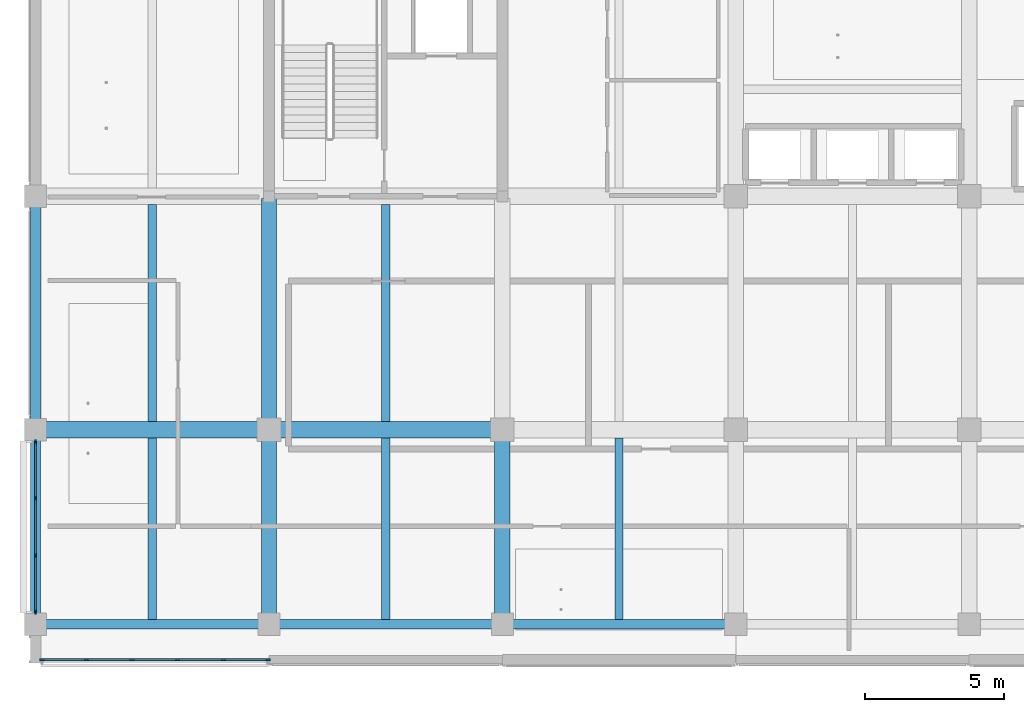
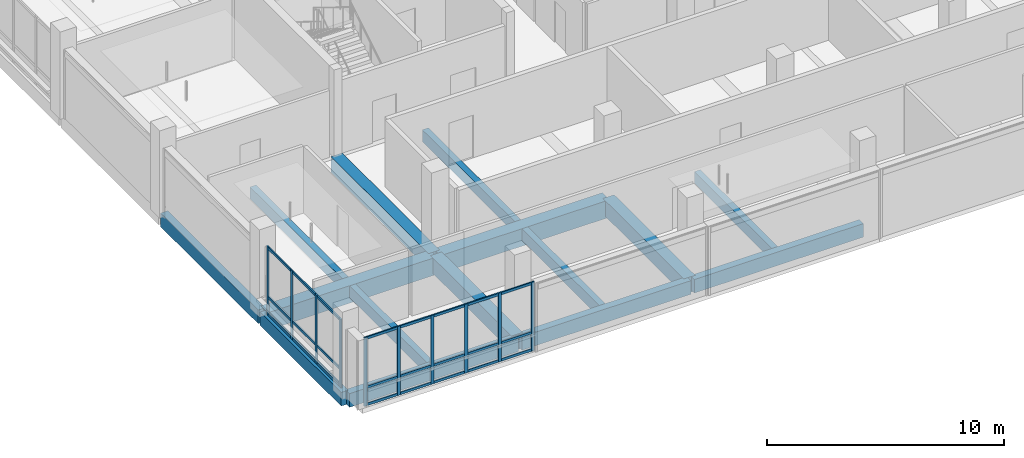
# One storey, part 2 of 35: 34 members, 15 beams, 2 elements without a shape of their own.
"""IFC4 building model written with IfcOpenShell, lengths in metres."""

from ifc_helpers import new_model, si_unit, direction, frame, origin, origin_2d, place, context, subcontext, project, spatial, rectangle, extrude, material, layer, layer_set, material_profile, profile_set, type_object, element, aggregate, save


model = new_model("IFC4")

# Units and contexts
model_context = context("Model", 3, precision=1e-05, world=origin(), true_north=direction((0.0, 1.0)))
body_context = subcontext(model_context, "Body", "Model", "MODEL_VIEW")
ifc_project = project(units=[si_unit("LENGTHUNIT", "METRE"), si_unit("AREAUNIT", "SQUARE_METRE"), si_unit("VOLUMEUNIT", "CUBIC_METRE"), si_unit("PLANEANGLEUNIT", "RADIAN"), si_unit("MASSUNIT", "GRAM", prefix="KILO")], contexts=[model_context])

# Site, building, storey
site_placement = place(None, origin())
site = spatial("IfcSite", under=ifc_project, at=site_placement, CompositionType="ELEMENT")
building_placement = place(site_placement, origin())
building = spatial("IfcBuilding", under=site, at=building_placement, Name="Telukmera Botanical Conservatory", CompositionType="ELEMENT")
storey_placement = place(building_placement, frame((0.0, 0.0, 28.5)))
storey = spatial("IfcBuildingStorey", under=building, at=storey_placement, Name="L06", CompositionType="ELEMENT", Elevation=28.5)

# Beams
ifc_material_1 = material(Name="Concrete C40/50", Category="concrete")
ifc_material_profile_1 = material_profile(ifc_material_1, rectangle(XDim=0.550048828125, YDim=0.800048828125, at=origin_2d()), Name="RC 550x800")
ifc_profile_set_1 = profile_set([ifc_material_profile_1], Name="Concrete C40/50")
beam_type_1 = type_object("IfcBeamType", Name="Beam_B12", PredefinedType="BEAM", material=ifc_profile_set_1)
beam_1_placement = place(storey_placement, frame((58.800048828125, 10.679931640625, -0.39990234375), z_axis=(0.0, 1.0, 0.0), x_axis=(-1.0, 0.0, 0.0)))
element("IfcBeam", 1, at=beam_1_placement, inside=storey, type_object=beam_type_1, Name="Tower Transverse Beam L06", PredefinedType="BEAM", context=body_context, shape_type="SweptSolid", body=[
    extrude(rectangle(XDim=0.550048828125, YDim=0.800048828125, at=origin_2d()), origin(), (0.0, 0.0, 1.0), 6.840087890625),
])
beam_2_placement = place(storey_placement, frame((58.800048828125, 17.679931640625, -0.39990234375), z_axis=(0.0, 1.0, 0.0), x_axis=(-1.0, 0.0, 0.0)))
element("IfcBeam", 2, at=beam_2_placement, inside=storey, type_object=beam_type_1, Name="Tower Transverse Beam L06", PredefinedType="BEAM", context=body_context, shape_type="SweptSolid", body=[
    extrude(rectangle(XDim=0.550048828125, YDim=0.800048828125, at=origin_2d()), origin(), (0.0, 0.0, 1.0), 8.239990234375),
])
beam_3_placement = place(storey_placement, frame((67.199951171875, 10.679931640625, -0.39990234375), z_axis=(0.0, 1.0, 0.0), x_axis=(-1.0, 0.0, 0.0)))
element("IfcBeam", 3, at=beam_3_placement, inside=storey, type_object=beam_type_1, Name="Tower Transverse Beam L06", PredefinedType="BEAM", context=body_context, shape_type="SweptSolid", body=[
    extrude(rectangle(XDim=0.550048828125, YDim=0.800048828125, at=origin_2d()), origin(), (0.0, 0.0, 1.0), 6.840087890625),
])
ifc_material_profile_2 = material_profile(ifc_material_1, rectangle(XDim=0.300048828125, YDim=0.60009765625, at=origin_2d()), Name="RC 300x600")
ifc_profile_set_2 = profile_set([ifc_material_profile_2], Name="Concrete C40/50")
beam_type_2 = type_object("IfcBeamType", Name="Beam_B23", PredefinedType="JOIST", material=ifc_profile_set_2)
beam_4_placement = place(storey_placement, frame((54.60009765625, 10.77490234375, -0.300048828125), z_axis=(0.0, 1.0, 0.0), x_axis=(-1.0, 0.0, 0.0)))
element("IfcBeam", 4, at=beam_4_placement, inside=storey, type_object=beam_type_2, Name="Tower Secondary Floor Joist L06", PredefinedType="JOIST", context=body_context, shape_type="SweptSolid", body=[
    extrude(rectangle(XDim=0.300048828125, YDim=0.60009765625, at=origin_2d()), origin(), (0.0, 0.0, 1.0), 6.525146484375),
])
beam_5_placement = place(storey_placement, frame((54.60009765625, 17.89990234375, -0.300048828125), z_axis=(0.0, 1.0, 0.0), x_axis=(-1.0, 0.0, 0.0)))
element("IfcBeam", 5, at=beam_5_placement, inside=storey, type_object=beam_type_2, Name="Tower Secondary Floor Joist L06", PredefinedType="JOIST", context=body_context, shape_type="SweptSolid", body=[
    extrude(rectangle(XDim=0.300048828125, YDim=0.60009765625, at=origin_2d()), origin(), (0.0, 0.0, 1.0), 7.800048828125),
])
beam_6_placement = place(storey_placement, frame((63.0, 10.77490234375, -0.300048828125), z_axis=(0.0, 1.0, 0.0), x_axis=(-1.0, 0.0, 0.0)))
element("IfcBeam", 6, at=beam_6_placement, inside=storey, type_object=beam_type_2, Name="Tower Secondary Floor Joist L06", PredefinedType="JOIST", context=body_context, shape_type="SweptSolid", body=[
    extrude(rectangle(XDim=0.300048828125, YDim=0.60009765625, at=origin_2d()), origin(), (0.0, 0.0, 1.0), 6.525146484375),
])
beam_7_placement = place(storey_placement, frame((63.0, 17.89990234375, -0.300048828125), z_axis=(0.0, 1.0, 0.0), x_axis=(-1.0, 0.0, 0.0)))
element("IfcBeam", 7, at=beam_7_placement, inside=storey, type_object=beam_type_2, Name="Tower Secondary Floor Joist L06", PredefinedType="JOIST", context=body_context, shape_type="SweptSolid", body=[
    extrude(rectangle(XDim=0.300048828125, YDim=0.60009765625, at=origin_2d()), origin(), (0.0, 0.0, 1.0), 7.800048828125),
])
beam_8_placement = place(storey_placement, frame((71.39990234375, 10.77490234375, -0.300048828125), z_axis=(0.0, 1.0, 0.0), x_axis=(-1.0, 0.0, 0.0)))
element("IfcBeam", 8, at=beam_8_placement, inside=storey, type_object=beam_type_2, Name="Tower Secondary Floor Joist L06", PredefinedType="JOIST", context=body_context, shape_type="SweptSolid", body=[
    extrude(rectangle(XDim=0.300048828125, YDim=0.60009765625, at=origin_2d()), origin(), (0.0, 0.0, 1.0), 6.525146484375),
])
ifc_material_profile_3 = material_profile(ifc_material_1, rectangle(XDim=0.60009765625, YDim=0.89990234375, at=origin_2d()), Name="RC 600x900")
ifc_profile_set_3 = profile_set([ifc_material_profile_3], Name="Concrete C40/50")
beam_type_3 = type_object("IfcBeamType", Name="Beam_B3", PredefinedType="BEAM", material=ifc_profile_set_3)
beam_9_placement = place(storey_placement, frame((50.47998046875, 17.60009765625, -0.449951171875), z_axis=(1.0, 0.0, 0.0), x_axis=(0.0, 1.0, 0.0)))
element("IfcBeam", 9, at=beam_9_placement, inside=storey, type_object=beam_type_3, Name="Tower Grid Beam L06", PredefinedType="BEAM", context=body_context, shape_type="SweptSolid", body=[
    extrude(rectangle(XDim=0.60009765625, YDim=0.89990234375, at=origin_2d()), origin(), (0.0, 0.0, 1.0), 8.239990234375),
])
beam_10_placement = place(storey_placement, frame((58.8798828125, 17.60009765625, -0.449951171875), z_axis=(1.0, 0.0, 0.0), x_axis=(0.0, 1.0, 0.0)))
element("IfcBeam", 10, at=beam_10_placement, inside=storey, type_object=beam_type_3, Name="Tower Grid Beam L06", PredefinedType="BEAM", context=body_context, shape_type="SweptSolid", body=[
    extrude(rectangle(XDim=0.60009765625, YDim=0.89990234375, at=origin_2d()), origin(), (0.0, 0.0, 1.0), 8.240234375),
])
ifc_material_2 = material(Name="Precast concrete C40/50", Category="concrete")
ifc_material_profile_4 = material_profile(ifc_material_2, rectangle(XDim=0.35009765625, YDim=0.699951171875, at=origin_2d()), Name="PC 350x700")
ifc_profile_set_4 = profile_set([ifc_material_profile_4], Name="Precast concrete C40/50")
beam_type_4 = type_object("IfcBeamType", Name="Beam_SP2", PredefinedType="SPANDREL", material=ifc_profile_set_4)
beam_11_placement = place(storey_placement, frame((50.47998046875, 10.60009765625, -0.35009765625), z_axis=(1.0, 0.0, 0.0), x_axis=(0.0, 1.0, 0.0)))
element("IfcBeam", 11, at=beam_11_placement, inside=storey, type_object=beam_type_4, Name="Tower Grid Beam L06", PredefinedType="SPANDREL", context=body_context, shape_type="SweptSolid", body=[
    extrude(rectangle(XDim=0.35009765625, YDim=0.699951171875, at=origin_2d()), origin(), (0.0, 0.0, 1.0), 8.239990234375),
])
beam_12_placement = place(storey_placement, frame((58.8798828125, 10.60009765625, -0.35009765625), z_axis=(1.0, 0.0, 0.0), x_axis=(0.0, 1.0, 0.0)))
element("IfcBeam", 12, at=beam_12_placement, inside=storey, type_object=beam_type_4, Name="Tower Grid Beam L06", PredefinedType="SPANDREL", context=body_context, shape_type="SweptSolid", body=[
    extrude(rectangle(XDim=0.35009765625, YDim=0.699951171875, at=origin_2d()), origin(), (0.0, 0.0, 1.0), 8.240234375),
])
beam_13_placement = place(storey_placement, frame((67.280029296875, 10.60009765625, -0.35009765625), z_axis=(1.0, 0.0, 0.0), x_axis=(0.0, 1.0, 0.0)))
element("IfcBeam", 13, at=beam_13_placement, inside=storey, type_object=beam_type_4, Name="Tower Grid Beam L06", PredefinedType="SPANDREL", context=body_context, shape_type="SweptSolid", body=[
    extrude(rectangle(XDim=0.35009765625, YDim=0.699951171875, at=origin_2d()), origin(), (0.0, 0.0, 1.0), 8.239990234375),
])
beam_14_placement = place(storey_placement, frame((50.39990234375, 10.679931640625, -0.35009765625), z_axis=(0.0, 1.0, 0.0), x_axis=(-1.0, 0.0, 0.0)))
element("IfcBeam", 14, at=beam_14_placement, inside=storey, type_object=beam_type_4, Name="Tower Transverse Beam L06", PredefinedType="SPANDREL", context=body_context, shape_type="SweptSolid", body=[
    extrude(rectangle(XDim=0.35009765625, YDim=0.699951171875, at=origin_2d()), origin(), (0.0, 0.0, 1.0), 6.840087890625),
])
beam_15_placement = place(storey_placement, frame((50.39990234375, 17.679931640625, -0.35009765625), z_axis=(0.0, 1.0, 0.0), x_axis=(-1.0, 0.0, 0.0)))
element("IfcBeam", 15, at=beam_15_placement, inside=storey, type_object=beam_type_4, Name="Tower Transverse Beam L06", PredefinedType="SPANDREL", context=body_context, shape_type="SweptSolid", body=[
    extrude(rectangle(XDim=0.35009765625, YDim=0.699951171875, at=origin_2d()), origin(), (0.0, 0.0, 1.0), 8.239990234375),
])

# Curtain wall, members
ifc_material_3 = material(Name="Anodised aluminium 6063-T6", Category="aluminium")
ifc_layer = layer(ifc_material_3, 0.179931640625)
ifc_layer_set = layer_set([ifc_layer], Name="Anodised aluminium 6063-T6")
curtain_wall_type = type_object("IfcCurtainWallType", Name="Tower Herbarium Curation Corner Curtain Wall", PredefinedType="USERDEFINED", material=ifc_layer_set)
curtain_wall_1_placement = place(storey_placement, origin())
curtain_wall_1 = element("IfcCurtainWall", 16, at=curtain_wall_1_placement, inside=storey, type_object=curtain_wall_type, Name="Unitised Curtain Wall CW14 V4:L06:S1", ObjectType="UNITISED CURTAIN WALL", PredefinedType="USERDEFINED")
ifc_material_profile_5 = material_profile(ifc_material_3, rectangle(XDim=0.06494140625, YDim=0.159912109375, at=origin_2d()), Name="ALU MULL 65x160")
ifc_profile_set_5 = profile_set([ifc_material_profile_5], Name="Anodised aluminium 6063-T6")
member_type_1 = type_object("IfcMemberType", Name="Curtain Wall Extruded Mullion 65x160", PredefinedType="MULLION", material=ifc_profile_set_5)
member_1_placement = place(storey_placement, frame((50.62451171875, 9.320068359375, 0.0), z_axis=(0.0, 0.0, 1.0), x_axis=(0.0, 1.0, 0.0)))
member_1 = element("IfcMember", 17, at=member_1_placement, type_object=member_type_1, Name="CW14 mullion 1", PredefinedType="MULLION", context=body_context, shape_type="SweptSolid", body=[
    extrude(rectangle(XDim=0.06494140625, YDim=0.159912109375, at=origin_2d()), origin(), (0.0, 0.0, 1.0), 3.550048828125),
])
member_2_placement = place(storey_placement, frame((52.233154296875, 9.320068359375, 0.0), z_axis=(0.0, 0.0, 1.0), x_axis=(0.0, 1.0, 0.0)))
member_2 = element("IfcMember", 18, at=member_2_placement, type_object=member_type_1, Name="CW14 mullion 2", PredefinedType="MULLION", context=body_context, shape_type="SweptSolid", body=[
    extrude(rectangle(XDim=0.06494140625, YDim=0.159912109375, at=origin_2d()), origin(), (0.0, 0.0, 1.0), 3.550048828125),
])
member_3_placement = place(storey_placement, frame((53.87451171875, 9.320068359375, 0.0), z_axis=(0.0, 0.0, 1.0), x_axis=(0.0, 1.0, 0.0)))
member_3 = element("IfcMember", 19, at=member_3_placement, type_object=member_type_1, Name="CW14 mullion 3", PredefinedType="MULLION", context=body_context, shape_type="SweptSolid", body=[
    extrude(rectangle(XDim=0.06494140625, YDim=0.159912109375, at=origin_2d()), origin(), (0.0, 0.0, 1.0), 3.550048828125),
])
member_4_placement = place(storey_placement, frame((55.515625, 9.320068359375, 0.0), z_axis=(0.0, 0.0, 1.0), x_axis=(0.0, 1.0, 0.0)))
member_4 = element("IfcMember", 20, at=member_4_placement, type_object=member_type_1, Name="CW14 mullion 4", PredefinedType="MULLION", context=body_context, shape_type="SweptSolid", body=[
    extrude(rectangle(XDim=0.06494140625, YDim=0.159912109375, at=origin_2d()), origin(), (0.0, 0.0, 1.0), 3.550048828125),
])
member_5_placement = place(storey_placement, frame((57.15673828125, 9.320068359375, 0.0), z_axis=(0.0, 0.0, 1.0), x_axis=(0.0, 1.0, 0.0)))
member_5 = element("IfcMember", 21, at=member_5_placement, type_object=member_type_1, Name="CW14 mullion 5", PredefinedType="MULLION", context=body_context, shape_type="SweptSolid", body=[
    extrude(rectangle(XDim=0.06494140625, YDim=0.159912109375, at=origin_2d()), origin(), (0.0, 0.0, 1.0), 3.550048828125),
])
member_6_placement = place(storey_placement, frame((58.765380859375, 9.320068359375, 0.0), z_axis=(0.0, 0.0, 1.0), x_axis=(0.0, 1.0, 0.0)))
member_6 = element("IfcMember", 22, at=member_6_placement, type_object=member_type_1, Name="CW14 mullion 6", PredefinedType="MULLION", context=body_context, shape_type="SweptSolid", body=[
    extrude(rectangle(XDim=0.06494140625, YDim=0.159912109375, at=origin_2d()), origin(), (0.0, 0.0, 1.0), 3.550048828125),
])

curtain_wall_2_placement = place(storey_placement, origin())
curtain_wall_2 = element("IfcCurtainWall", 23, at=curtain_wall_2_placement, inside=storey, type_object=curtain_wall_type, Name="Unitised Curtain Wall CW14 V4:L06:W1", ObjectType="UNITISED CURTAIN WALL", PredefinedType="USERDEFINED")
member_7_placement = place(storey_placement, frame((50.39990234375, 11.034423828125, 0.0), z_axis=(0.0, 0.0, 1.0), x_axis=(-1.0, 0.0, 0.0)))
member_7 = element("IfcMember", 24, at=member_7_placement, type_object=member_type_1, Name="CW14 mullion 1", PredefinedType="MULLION", context=body_context, shape_type="SweptSolid", body=[
    extrude(rectangle(XDim=0.06494140625, YDim=0.159912109375, at=origin_2d()), origin(), (0.0, 0.0, 1.0), 3.550048828125),
])
member_8_placement = place(storey_placement, frame((50.39990234375, 13.0673828125, 0.0), z_axis=(0.0, 0.0, 1.0), x_axis=(-1.0, 0.0, 0.0)))
member_8 = element("IfcMember", 25, at=member_8_placement, type_object=member_type_1, Name="CW14 mullion 2", PredefinedType="MULLION", context=body_context, shape_type="SweptSolid", body=[
    extrude(rectangle(XDim=0.06494140625, YDim=0.159912109375, at=origin_2d()), origin(), (0.0, 0.0, 1.0), 3.550048828125),
])
member_9_placement = place(storey_placement, frame((50.39990234375, 15.132568359375, 0.0), z_axis=(0.0, 0.0, 1.0), x_axis=(-1.0, 0.0, 0.0)))
member_9 = element("IfcMember", 26, at=member_9_placement, type_object=member_type_1, Name="CW14 mullion 3", PredefinedType="MULLION", context=body_context, shape_type="SweptSolid", body=[
    extrude(rectangle(XDim=0.06494140625, YDim=0.159912109375, at=origin_2d()), origin(), (0.0, 0.0, 1.0), 3.550048828125),
])
member_10_placement = place(storey_placement, frame((50.39990234375, 17.16552734375, 0.0), z_axis=(0.0, 0.0, 1.0), x_axis=(-1.0, 0.0, 0.0)))
member_10 = element("IfcMember", 27, at=member_10_placement, type_object=member_type_1, Name="CW14 mullion 4", PredefinedType="MULLION", context=body_context, shape_type="SweptSolid", body=[
    extrude(rectangle(XDim=0.06494140625, YDim=0.159912109375, at=origin_2d()), origin(), (0.0, 0.0, 1.0), 3.550048828125),
])

# Member
ifc_material_profile_6 = material_profile(ifc_material_3, rectangle(XDim=0.06494140625, YDim=0.1298828125, at=origin_2d()), Name="ALU TRAN 65x130")
ifc_profile_set_6 = profile_set([ifc_material_profile_6], Name="Anodised aluminium 6063-T6")
member_type_2 = type_object("IfcMemberType", Name="Curtain Wall Extruded Transom 65x130", PredefinedType="USERDEFINED", material=ifc_profile_set_6)
member_11_placement = place(storey_placement, frame((50.656982421875, 9.320068359375, 0.06494140625), z_axis=(1.0, 0.0, 0.0), x_axis=(0.0, 1.0, 0.0)))
member_11 = element("IfcMember", 28, at=member_11_placement, type_object=member_type_2, Name="CW14 transom 1.1", ObjectType="TRANSOM", PredefinedType="USERDEFINED", context=body_context, shape_type="SweptSolid", body=[
    extrude(rectangle(XDim=0.06494140625, YDim=0.1298828125, at=origin_2d()), origin(), (0.0, 0.0, 1.0), 1.543701171875),
])

member_12_placement = place(storey_placement, frame((50.656982421875, 9.320068359375, 0.949951171875), z_axis=(1.0, 0.0, 0.0), x_axis=(0.0, 1.0, 0.0)))
member_12 = element("IfcMember", 29, at=member_12_placement, type_object=member_type_2, Name="CW14 transom 1.2", ObjectType="TRANSOM", PredefinedType="USERDEFINED", context=body_context, shape_type="SweptSolid", body=[
    extrude(rectangle(XDim=0.06494140625, YDim=0.1298828125, at=origin_2d()), origin(), (0.0, 0.0, 1.0), 1.543701171875),
])

member_13_placement = place(storey_placement, frame((50.656982421875, 9.320068359375, 3.485107421875), z_axis=(1.0, 0.0, 0.0), x_axis=(0.0, 1.0, 0.0)))
member_13 = element("IfcMember", 30, at=member_13_placement, type_object=member_type_2, Name="CW14 transom 1.3", ObjectType="TRANSOM", PredefinedType="USERDEFINED", context=body_context, shape_type="SweptSolid", body=[
    extrude(rectangle(XDim=0.06494140625, YDim=0.1298828125, at=origin_2d()), origin(), (0.0, 0.0, 1.0), 1.543701171875),
])

member_14_placement = place(storey_placement, frame((52.265625, 9.320068359375, 0.06494140625), z_axis=(1.0, 0.0, 0.0), x_axis=(0.0, 1.0, 0.0)))
member_14 = element("IfcMember", 31, at=member_14_placement, type_object=member_type_2, Name="CW14 transom 2.1", ObjectType="TRANSOM", PredefinedType="USERDEFINED", context=body_context, shape_type="SweptSolid", body=[
    extrude(rectangle(XDim=0.06494140625, YDim=0.1298828125, at=origin_2d()), origin(), (0.0, 0.0, 1.0), 1.576171875),
])

member_15_placement = place(storey_placement, frame((52.265625, 9.320068359375, 0.949951171875), z_axis=(1.0, 0.0, 0.0), x_axis=(0.0, 1.0, 0.0)))
member_15 = element("IfcMember", 32, at=member_15_placement, type_object=member_type_2, Name="CW14 transom 2.2", ObjectType="TRANSOM", PredefinedType="USERDEFINED", context=body_context, shape_type="SweptSolid", body=[
    extrude(rectangle(XDim=0.06494140625, YDim=0.1298828125, at=origin_2d()), origin(), (0.0, 0.0, 1.0), 1.576171875),
])

member_16_placement = place(storey_placement, frame((52.265625, 9.320068359375, 3.485107421875), z_axis=(1.0, 0.0, 0.0), x_axis=(0.0, 1.0, 0.0)))
member_16 = element("IfcMember", 33, at=member_16_placement, type_object=member_type_2, Name="CW14 transom 2.3", ObjectType="TRANSOM", PredefinedType="USERDEFINED", context=body_context, shape_type="SweptSolid", body=[
    extrude(rectangle(XDim=0.06494140625, YDim=0.1298828125, at=origin_2d()), origin(), (0.0, 0.0, 1.0), 1.576171875),
])

member_17_placement = place(storey_placement, frame((53.906982421875, 9.320068359375, 0.06494140625), z_axis=(1.0, 0.0, 0.0), x_axis=(0.0, 1.0, 0.0)))
member_17 = element("IfcMember", 34, at=member_17_placement, type_object=member_type_2, Name="CW14 transom 3.1", ObjectType="TRANSOM", PredefinedType="USERDEFINED", context=body_context, shape_type="SweptSolid", body=[
    extrude(rectangle(XDim=0.06494140625, YDim=0.1298828125, at=origin_2d()), origin(), (0.0, 0.0, 1.0), 1.576171875),
])

member_18_placement = place(storey_placement, frame((53.906982421875, 9.320068359375, 0.949951171875), z_axis=(1.0, 0.0, 0.0), x_axis=(0.0, 1.0, 0.0)))
member_18 = element("IfcMember", 35, at=member_18_placement, type_object=member_type_2, Name="CW14 transom 3.2", ObjectType="TRANSOM", PredefinedType="USERDEFINED", context=body_context, shape_type="SweptSolid", body=[
    extrude(rectangle(XDim=0.06494140625, YDim=0.1298828125, at=origin_2d()), origin(), (0.0, 0.0, 1.0), 1.576171875),
])

member_19_placement = place(storey_placement, frame((53.906982421875, 9.320068359375, 3.485107421875), z_axis=(1.0, 0.0, 0.0), x_axis=(0.0, 1.0, 0.0)))
member_19 = element("IfcMember", 36, at=member_19_placement, type_object=member_type_2, Name="CW14 transom 3.3", ObjectType="TRANSOM", PredefinedType="USERDEFINED", context=body_context, shape_type="SweptSolid", body=[
    extrude(rectangle(XDim=0.06494140625, YDim=0.1298828125, at=origin_2d()), origin(), (0.0, 0.0, 1.0), 1.576171875),
])

member_20_placement = place(storey_placement, frame((55.548095703125, 9.320068359375, 0.06494140625), z_axis=(1.0, 0.0, 0.0), x_axis=(0.0, 1.0, 0.0)))
member_20 = element("IfcMember", 37, at=member_20_placement, type_object=member_type_2, Name="CW14 transom 4.1", ObjectType="TRANSOM", PredefinedType="USERDEFINED", context=body_context, shape_type="SweptSolid", body=[
    extrude(rectangle(XDim=0.06494140625, YDim=0.1298828125, at=origin_2d()), origin(), (0.0, 0.0, 1.0), 1.576171875),
])

member_21_placement = place(storey_placement, frame((55.548095703125, 9.320068359375, 0.949951171875), z_axis=(1.0, 0.0, 0.0), x_axis=(0.0, 1.0, 0.0)))
member_21 = element("IfcMember", 38, at=member_21_placement, type_object=member_type_2, Name="CW14 transom 4.2", ObjectType="TRANSOM", PredefinedType="USERDEFINED", context=body_context, shape_type="SweptSolid", body=[
    extrude(rectangle(XDim=0.06494140625, YDim=0.1298828125, at=origin_2d()), origin(), (0.0, 0.0, 1.0), 1.576171875),
])

member_22_placement = place(storey_placement, frame((55.548095703125, 9.320068359375, 3.485107421875), z_axis=(1.0, 0.0, 0.0), x_axis=(0.0, 1.0, 0.0)))
member_22 = element("IfcMember", 39, at=member_22_placement, type_object=member_type_2, Name="CW14 transom 4.3", ObjectType="TRANSOM", PredefinedType="USERDEFINED", context=body_context, shape_type="SweptSolid", body=[
    extrude(rectangle(XDim=0.06494140625, YDim=0.1298828125, at=origin_2d()), origin(), (0.0, 0.0, 1.0), 1.576171875),
])

member_23_placement = place(storey_placement, frame((57.189208984375, 9.320068359375, 0.06494140625), z_axis=(1.0, 0.0, 0.0), x_axis=(0.0, 1.0, 0.0)))
member_23 = element("IfcMember", 40, at=member_23_placement, type_object=member_type_2, Name="CW14 transom 5.1", ObjectType="TRANSOM", PredefinedType="USERDEFINED", context=body_context, shape_type="SweptSolid", body=[
    extrude(rectangle(XDim=0.06494140625, YDim=0.1298828125, at=origin_2d()), origin(), (0.0, 0.0, 1.0), 1.543701171875),
])

member_24_placement = place(storey_placement, frame((57.189208984375, 9.320068359375, 0.949951171875), z_axis=(1.0, 0.0, 0.0), x_axis=(0.0, 1.0, 0.0)))
member_24 = element("IfcMember", 41, at=member_24_placement, type_object=member_type_2, Name="CW14 transom 5.2", ObjectType="TRANSOM", PredefinedType="USERDEFINED", context=body_context, shape_type="SweptSolid", body=[
    extrude(rectangle(XDim=0.06494140625, YDim=0.1298828125, at=origin_2d()), origin(), (0.0, 0.0, 1.0), 1.543701171875),
])

member_25_placement = place(storey_placement, frame((57.189208984375, 9.320068359375, 3.485107421875), z_axis=(1.0, 0.0, 0.0), x_axis=(0.0, 1.0, 0.0)))
member_25 = element("IfcMember", 42, at=member_25_placement, type_object=member_type_2, Name="CW14 transom 5.3", ObjectType="TRANSOM", PredefinedType="USERDEFINED", context=body_context, shape_type="SweptSolid", body=[
    extrude(rectangle(XDim=0.06494140625, YDim=0.1298828125, at=origin_2d()), origin(), (0.0, 0.0, 1.0), 1.543701171875),
])

aggregate(curtain_wall_1, [member_1, member_2, member_3, member_4, member_5, member_6, member_11, member_12, member_13, member_14, member_15, member_16, member_17, member_18, member_19, member_20, member_21, member_22, member_23, member_24, member_25])

member_26_placement = place(storey_placement, frame((50.39990234375, 11.06689453125, 0.06494140625), z_axis=(0.0, 1.0, 0.0), x_axis=(-1.0, 0.0, 0.0)))
member_26 = element("IfcMember", 43, at=member_26_placement, type_object=member_type_2, Name="CW14 transom 1.1", ObjectType="TRANSOM", PredefinedType="USERDEFINED", context=body_context, shape_type="SweptSolid", body=[
    extrude(rectangle(XDim=0.06494140625, YDim=0.1298828125, at=origin_2d()), origin(), (0.0, 0.0, 1.0), 1.968017578125),
])

member_27_placement = place(storey_placement, frame((50.39990234375, 11.06689453125, 0.949951171875), z_axis=(0.0, 1.0, 0.0), x_axis=(-1.0, 0.0, 0.0)))
member_27 = element("IfcMember", 44, at=member_27_placement, type_object=member_type_2, Name="CW14 transom 1.2", ObjectType="TRANSOM", PredefinedType="USERDEFINED", context=body_context, shape_type="SweptSolid", body=[
    extrude(rectangle(XDim=0.06494140625, YDim=0.1298828125, at=origin_2d()), origin(), (0.0, 0.0, 1.0), 1.968017578125),
])

member_28_placement = place(storey_placement, frame((50.39990234375, 11.06689453125, 3.485107421875), z_axis=(0.0, 1.0, 0.0), x_axis=(-1.0, 0.0, 0.0)))
member_28 = element("IfcMember", 45, at=member_28_placement, type_object=member_type_2, Name="CW14 transom 1.3", ObjectType="TRANSOM", PredefinedType="USERDEFINED", context=body_context, shape_type="SweptSolid", body=[
    extrude(rectangle(XDim=0.06494140625, YDim=0.1298828125, at=origin_2d()), origin(), (0.0, 0.0, 1.0), 1.968017578125),
])

member_29_placement = place(storey_placement, frame((50.39990234375, 13.099853515625, 0.06494140625), z_axis=(0.0, 1.0, 0.0), x_axis=(-1.0, 0.0, 0.0)))
member_29 = element("IfcMember", 46, at=member_29_placement, type_object=member_type_2, Name="CW14 transom 2.1", ObjectType="TRANSOM", PredefinedType="USERDEFINED", context=body_context, shape_type="SweptSolid", body=[
    extrude(rectangle(XDim=0.06494140625, YDim=0.1298828125, at=origin_2d()), origin(), (0.0, 0.0, 1.0), 2.000244140625),
])

member_30_placement = place(storey_placement, frame((50.39990234375, 13.099853515625, 0.949951171875), z_axis=(0.0, 1.0, 0.0), x_axis=(-1.0, 0.0, 0.0)))
member_30 = element("IfcMember", 47, at=member_30_placement, type_object=member_type_2, Name="CW14 transom 2.2", ObjectType="TRANSOM", PredefinedType="USERDEFINED", context=body_context, shape_type="SweptSolid", body=[
    extrude(rectangle(XDim=0.06494140625, YDim=0.1298828125, at=origin_2d()), origin(), (0.0, 0.0, 1.0), 2.000244140625),
])

member_31_placement = place(storey_placement, frame((50.39990234375, 13.099853515625, 3.485107421875), z_axis=(0.0, 1.0, 0.0), x_axis=(-1.0, 0.0, 0.0)))
member_31 = element("IfcMember", 48, at=member_31_placement, type_object=member_type_2, Name="CW14 transom 2.3", ObjectType="TRANSOM", PredefinedType="USERDEFINED", context=body_context, shape_type="SweptSolid", body=[
    extrude(rectangle(XDim=0.06494140625, YDim=0.1298828125, at=origin_2d()), origin(), (0.0, 0.0, 1.0), 2.000244140625),
])

member_32_placement = place(storey_placement, frame((50.39990234375, 15.165283203125, 0.06494140625), z_axis=(0.0, 1.0, 0.0), x_axis=(-1.0, 0.0, 0.0)))
member_32 = element("IfcMember", 49, at=member_32_placement, type_object=member_type_2, Name="CW14 transom 3.1", ObjectType="TRANSOM", PredefinedType="USERDEFINED", context=body_context, shape_type="SweptSolid", body=[
    extrude(rectangle(XDim=0.06494140625, YDim=0.1298828125, at=origin_2d()), origin(), (0.0, 0.0, 1.0), 1.9677734375),
])

member_33_placement = place(storey_placement, frame((50.39990234375, 15.165283203125, 0.949951171875), z_axis=(0.0, 1.0, 0.0), x_axis=(-1.0, 0.0, 0.0)))
member_33 = element("IfcMember", 50, at=member_33_placement, type_object=member_type_2, Name="CW14 transom 3.2", ObjectType="TRANSOM", PredefinedType="USERDEFINED", context=body_context, shape_type="SweptSolid", body=[
    extrude(rectangle(XDim=0.06494140625, YDim=0.1298828125, at=origin_2d()), origin(), (0.0, 0.0, 1.0), 1.9677734375),
])

member_34_placement = place(storey_placement, frame((50.39990234375, 15.165283203125, 3.485107421875), z_axis=(0.0, 1.0, 0.0), x_axis=(-1.0, 0.0, 0.0)))
member_34 = element("IfcMember", 51, at=member_34_placement, type_object=member_type_2, Name="CW14 transom 3.3", ObjectType="TRANSOM", PredefinedType="USERDEFINED", context=body_context, shape_type="SweptSolid", body=[
    extrude(rectangle(XDim=0.06494140625, YDim=0.1298828125, at=origin_2d()), origin(), (0.0, 0.0, 1.0), 1.9677734375),
])

aggregate(curtain_wall_2, [member_7, member_8, member_9, member_10, member_26, member_27, member_28, member_29, member_30, member_31, member_32, member_33, member_34])

save(model, "model.ifc")
